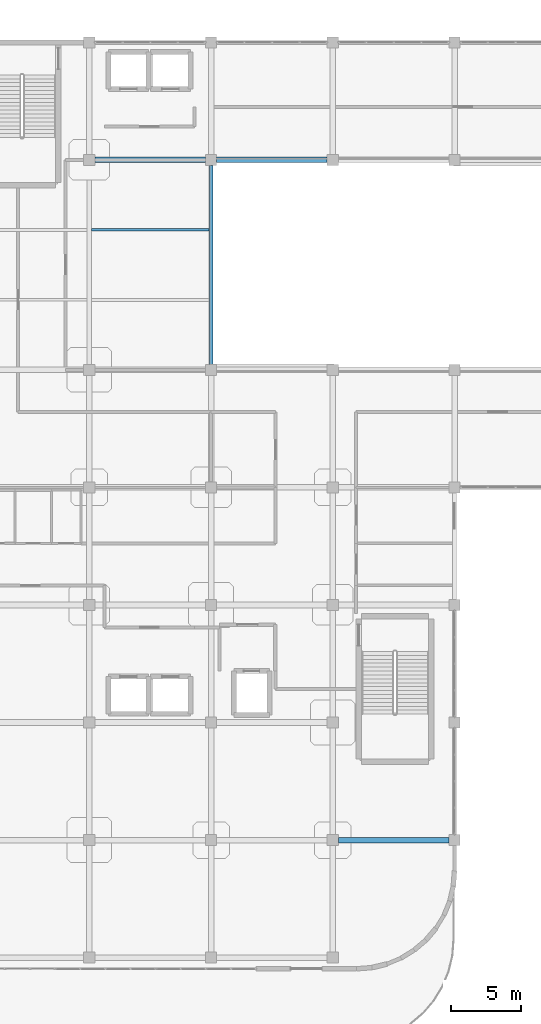
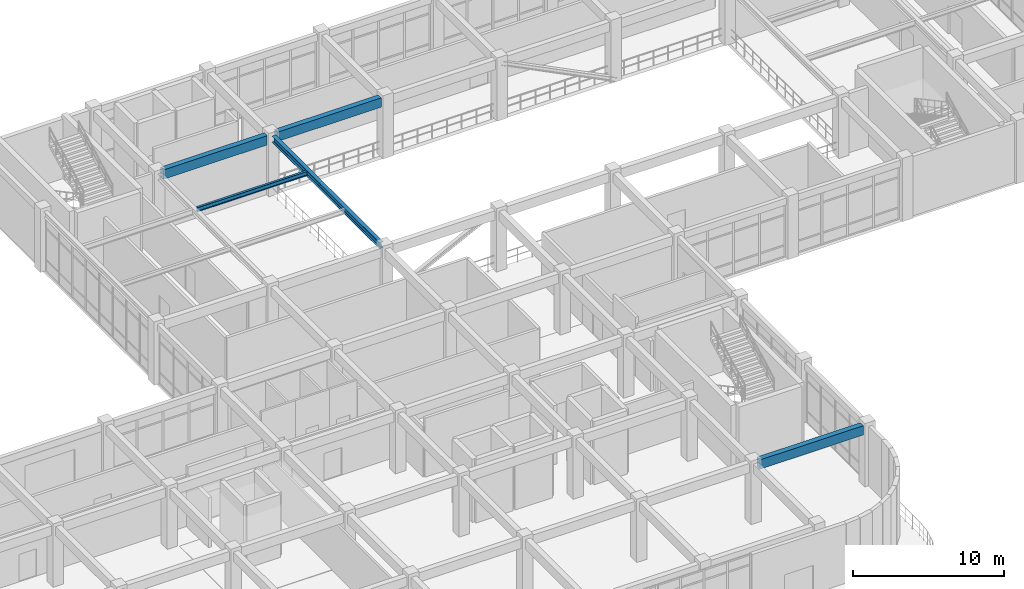
# One storey, part 29 of 96: 5 beams.
"""IFC4 building model written with IfcOpenShell, lengths in metres."""

import ifcopenshell
import ifcopenshell.guid

model = None  # the IFC model being written
_history = None  # IfcOwnerHistory: only IFC2X3 demands one
_inside = {}  # id of a spatial element -> (the spatial element, [elements in it])
_under = {}  # id of a project, library or spatial element -> (it, [spatial elements below it])
_declared = {}  # id of a project -> (the project, [libraries it declares])
_typed = {}  # id of a type object -> (the type object, [elements of that type])
_made_of = {}  # id of a material, layer set ... -> (it, [elements and type objects made of it])


def new_model(schema):
    """Start an empty IFC model of exactly this schema.

    Asked for "IFC4X3", IfcOpenShell would pick the latest addendum, in which some entities
    have other attributes; the version numbers below select the first issue.
    IFC2X3 requires an IfcOwnerHistory on every rooted entity: one is made here for all.
    """
    global model, _history
    if schema == "IFC4X3":
        model = ifcopenshell.file(schema_version=(4, 3, 0, 0))
    else:
        model = ifcopenshell.file(schema=schema)
    _inside.clear()
    _under.clear()
    _declared.clear()
    _typed.clear()
    _made_of.clear()
    _history = None
    if model.schema == "IFC2X3":
        org = make("IfcOrganization", Name="unknown")
        user = make(
            "IfcPersonAndOrganization",
            ThePerson=make("IfcPerson", FamilyName="unknown"),
            TheOrganization=org,
        )
        app = make(
            "IfcApplication",
            ApplicationDeveloper=org,
            Version="unknown",
            ApplicationFullName="unknown",
            ApplicationIdentifier="unknown",
        )
        _history = make(
            "IfcOwnerHistory",
            OwningUser=user,
            OwningApplication=app,
            ChangeAction="ADDED",
            CreationDate=0,
        )
    return model


def make(cls, **values):
    """One entity of the class cls with the attributes given. An attribute that is None is left unset."""
    return model.create_entity(
        cls, **{name: value for name, value in values.items() if value is not None}
    )


def rooted(cls, **values):
    """An entity with a GlobalId (a new one), such as an element, a storey or a relation."""
    return make(cls, GlobalId=ifcopenshell.guid.new(), OwnerHistory=_history, **values)


def si_unit(unit_type, name, prefix=None):
    """IfcSIUnit, for example si_unit("LENGTHUNIT", "METRE", prefix="MILLI")."""
    return make("IfcSIUnit", UnitType=unit_type, Prefix=prefix, Name=name)


def derived_unit(unit_type, elements):
    """IfcDerivedUnit: a product of units, each with its exponent."""
    return make(
        "IfcDerivedUnit",
        Elements=[
            make("IfcDerivedUnitElement", Unit=unit, Exponent=power)
            for unit, power in elements
        ],
        UnitType=unit_type,
    )


def assignment(units):
    """IfcUnitAssignment: the units of a project."""
    return None if units is None else make("IfcUnitAssignment", Units=units)


def point(xyz):
    """IfcCartesianPoint."""
    return None if xyz is None else make("IfcCartesianPoint", Coordinates=xyz)


def direction(xyz):
    """IfcDirection."""
    return None if xyz is None else make("IfcDirection", DirectionRatios=xyz)


def frame(location, z_axis=None, x_axis=None):
    """IfcAxis2Placement3D, a coordinate frame: its origin and axes. An axis left out is left unset."""
    return make(
        "IfcAxis2Placement3D",
        Location=point(location),
        Axis=direction(z_axis),
        RefDirection=direction(x_axis),
    )


def frame_2d(location, x_axis=None):
    """IfcAxis2Placement2D, a coordinate frame in the plane: its origin and x axis."""
    return make(
        "IfcAxis2Placement2D", Location=point(location), RefDirection=direction(x_axis)
    )


def origin():
    """The frame at (0, 0, 0) with its axes left unset."""
    return frame((0.0, 0.0, 0.0))


def origin_2d():
    """The frame at (0, 0) in the plane with its x axis left unset."""
    return frame_2d((0.0, 0.0))


def place(relative_to, where):
    """IfcLocalPlacement: puts the frame where relative to a parent placement (None: the world)."""
    return make(
        "IfcLocalPlacement", PlacementRelTo=relative_to, RelativePlacement=where
    )


def context(
    kind, dimensions, precision=None, world=None, true_north=None, identifier=None
):
    """IfcGeometricRepresentationContext, for example the 3D "Model" context."""
    return make(
        "IfcGeometricRepresentationContext",
        ContextIdentifier=identifier,
        ContextType=kind,
        CoordinateSpaceDimension=dimensions,
        Precision=precision,
        WorldCoordinateSystem=world,
        TrueNorth=true_north,
    )


def subcontext(parent, identifier, kind, view, scale=None):
    """IfcGeometricRepresentationSubContext, for example "Body" below "Model"."""
    return make(
        "IfcGeometricRepresentationSubContext",
        ContextIdentifier=identifier,
        ContextType=kind,
        ParentContext=parent,
        TargetScale=scale,
        TargetView=view,
    )


def project(units=None, contexts=None):
    """IfcProject with its units and contexts."""
    return rooted(
        "IfcProject",
        Name="project",
        RepresentationContexts=contexts,
        UnitsInContext=assignment(units),
    )


def spatial(cls, under=None, at=None, **own):
    """A site, building, storey or space (cls), placed at a placement, below another one or the project."""
    s = rooted(cls, ObjectPlacement=at, **own)
    if under is not None:
        _under.setdefault(under.id(), (under, []))[1].append(s)
    return s


def profile(cls, at=None, kind="AREA", **sizes):
    """A parametric profile (cls). Its sizes go by their IFC names, for example OverallWidth=200.0."""
    return make(cls, ProfileType=kind, Position=at, **sizes)


def rectangle(**sizes):
    """IfcRectangleProfileDef."""
    return profile("IfcRectangleProfileDef", **sizes)


def i_section(**sizes):
    """IfcIShapeProfileDef."""
    return profile("IfcIShapeProfileDef", **sizes)


def extrude(swept, where, along, depth):
    """IfcExtrudedAreaSolid: the profile swept, set in the frame where, extruded along a direction by depth."""
    return make(
        "IfcExtrudedAreaSolid",
        SweptArea=swept,
        Position=where,
        ExtrudedDirection=direction(along),
        Depth=depth,
    )


def shape(context_of_items, identifier, shape_type, items):
    """IfcShapeRepresentation: the items that make up one representation, for example the "Body"."""
    return make(
        "IfcShapeRepresentation",
        ContextOfItems=context_of_items,
        RepresentationIdentifier=identifier,
        RepresentationType=shape_type,
        Items=items,
    )


def material(Name=None, Category=None):
    """IfcMaterial."""
    return make("IfcMaterial", Name=Name, Category=Category)


def material_profile(
    of_material, cross_section, Name=None, Category=None, Priority=None
):
    """IfcMaterialProfile: a cross section and its material."""
    return make(
        "IfcMaterialProfile",
        Name=Name,
        Material=of_material,
        Profile=cross_section,
        Priority=Priority,
        Category=Category,
    )


def profile_set(profiles, Name=None, composite=None):
    """IfcMaterialProfileSet."""
    return make(
        "IfcMaterialProfileSet",
        Name=Name,
        MaterialProfiles=profiles,
        CompositeProfile=composite,
    )


def made_of(thing, what):
    """Note that an element or type object is made of a material, layer set ...; save() writes the relation."""
    if what is not None:
        _made_of.setdefault(what.id(), (what, []))[1].append(thing)
    return thing


def type_object(cls, material=None, **own):
    """A type object (cls), such as IfcWallType, which elements share."""
    return made_of(rooted(cls, **own), material)


def element(
    cls,
    number,
    at=None,
    inside=None,
    cuts=None,
    type_object=None,
    material=None,
    context=None,
    identifier="Body",
    shape_type=None,
    held_by="IfcProductDefinitionShape",
    body=None,
    shapes=None,
    **own,
):
    """One element of the class cls, such as IfcWall. Its Tag is "e" and its number.

    at: its placement. inside: the storey or other place that contains it. cuts: it is an
    opening in that element (IfcRelVoidsElement). A single representation is given by context,
    identifier, shape_type and body (its items); several are given by shapes. held_by: the class
    of the entity that holds the representations. save() writes the other relations.
    """
    e = rooted(cls, Tag="e%d" % number, ObjectPlacement=at, **own)
    if body is not None:
        shapes = [shape(context, identifier, shape_type, body)]
    if shapes is not None:
        e.Representation = make(held_by, Representations=shapes)
    if inside is not None:
        _inside.setdefault(inside.id(), (inside, []))[1].append(e)
    if cuts is not None:
        rooted(
            "IfcRelVoidsElement", RelatingBuildingElement=cuts, RelatedOpeningElement=e
        )
    if type_object is not None:
        _typed.setdefault(type_object.id(), (type_object, []))[1].append(e)
    return made_of(e, material)


def aggregate(whole, parts):
    """IfcRelAggregates: a whole, such as a stair, and the parts it consists of."""
    return rooted("IfcRelAggregates", RelatingObject=whole, RelatedObjects=parts)


def save(model, path):
    """Write the relations noted so far, then the file.

    IfcRelAggregates (storeys below a building ...), IfcRelContainedInSpatialStructure (elements
    in a storey), IfcRelDefinesByType, IfcRelAssociatesMaterial and IfcRelDeclares: one each for
    every whole, place, type object, material and project.
    """
    for whole, parts in _under.values():
        aggregate(whole, parts)
    for where, things in _inside.values():
        rooted(
            "IfcRelContainedInSpatialStructure",
            RelatedElements=things,
            RelatingStructure=where,
        )
    for kind, things in _typed.values():
        rooted("IfcRelDefinesByType", RelatedObjects=things, RelatingType=kind)
    for what, things in _made_of.values():
        rooted("IfcRelAssociatesMaterial", RelatedObjects=things, RelatingMaterial=what)
    for by, libraries in _declared.values():
        rooted("IfcRelDeclares", RelatingContext=by, RelatedDefinitions=libraries)
    model.write(path)


model = new_model("IFC4")

# Units and contexts
model_context = context("Model", 3, precision=1e-05, world=origin(), true_north=direction((0.0, 1.0)))
body_context = subcontext(model_context, "Body", "Model", "MODEL_VIEW")
ifc_project = project(units=[si_unit("LENGTHUNIT", "METRE"), si_unit("AREAUNIT", "SQUARE_METRE"), si_unit("VOLUMEUNIT", "CUBIC_METRE"), si_unit("PLANEANGLEUNIT", "RADIAN"), si_unit("MASSUNIT", "GRAM", prefix="KILO"), derived_unit("THERMALTRANSMITTANCEUNIT", [(si_unit("MASSUNIT", "GRAM", prefix="KILO"), 1), (si_unit("TIMEUNIT", "SECOND"), -3), (si_unit("THERMODYNAMICTEMPERATUREUNIT", "KELVIN"), -1)])], contexts=[model_context])

# Site, building, storey
site_placement = place(None, origin())
site = spatial("IfcSite", under=ifc_project, at=site_placement, CompositionType="ELEMENT")
building_placement = place(site_placement, origin())
building = spatial("IfcBuilding", under=site, at=building_placement, Name="Qinzheling Arcade Emporium", CompositionType="ELEMENT")
storey_placement = place(building_placement, frame((0.0, 0.0, 21.60009765625)))
storey = spatial("IfcBuildingStorey", under=building, at=storey_placement, Name="L05", CompositionType="ELEMENT", Elevation=21.60009765625)

# Beams
ifc_material_1 = material(Name="Structural steel Q355B", Category="steel")
ifc_material_profile_1 = material_profile(ifc_material_1, i_section(OverallWidth=0.300048828125, OverallDepth=0.488037109375, WebThickness=0.010986328125, FlangeThickness=0.01806640625, FilletRadius=0.02197265625, at=origin_2d()), Name="HM 488x300x11x18", Category="steel")
ifc_profile_set_1 = profile_set([ifc_material_profile_1], Name="Structural steel Q355B")
beam_type_1 = type_object("IfcBeamType", Name="Atrium Bridge Girder HM488 Q355B", PredefinedType="USERDEFINED", material=ifc_profile_set_1)
beam_1_placement = place(storey_placement, frame((52.199951171875, 50.800048828125, 4.575927734375), z_axis=(0.0, 1.0, 0.0), x_axis=(-1.0, 0.0, 0.0)))
element("IfcBeam", 1, at=beam_1_placement, inside=storey, type_object=beam_type_1, Name="Beam BM-L05-Y-7-G", ObjectType="TRANSFER_GIRDER", PredefinedType="USERDEFINED", context=body_context, shape_type="SweptSolid", body=[
    extrude(i_section(OverallWidth=0.300048828125, OverallDepth=0.488037109375, WebThickness=0.010986328125, FlangeThickness=0.01806640625, FilletRadius=0.02197265625, at=origin_2d()), origin(), (0.0, 0.0, 1.0), 14.199951171875),
])
ifc_material_profile_2 = material_profile(ifc_material_1, i_section(OverallWidth=0.175048828125, OverallDepth=0.35009765625, WebThickness=0.007080078125, FlangeThickness=0.010986328125, FilletRadius=0.013916015625, at=origin_2d()), Name="HN 350x175x7x11", Category="steel")
ifc_profile_set_2 = profile_set([ifc_material_profile_2], Name="Structural steel Q355B")
beam_type_2 = type_object("IfcBeamType", Name="Canopy Secondary Joist HN350 Q355B", PredefinedType="JOIST", material=ifc_profile_set_2)
beam_2_placement = place(storey_placement, frame((43.655029296875, 60.39990234375, 4.64501953125), z_axis=(1.0, 0.0, 0.0), x_axis=(0.0, 1.0, 0.0)))
element("IfcBeam", 2, at=beam_2_placement, inside=storey, type_object=beam_type_2, Name="Secondary Joist JST-L05-6-2", PredefinedType="JOIST", context=body_context, shape_type="SweptSolid", body=[
    extrude(i_section(OverallWidth=0.175048828125, OverallDepth=0.35009765625, WebThickness=0.007080078125, FlangeThickness=0.010986328125, FilletRadius=0.013916015625, at=origin_2d()), origin(), (0.0, 0.0, 1.0), 8.389892578125),
])
ifc_material_2 = material(Name="Concrete C40", Category="concrete")
ifc_material_profile_3 = material_profile(ifc_material_2, rectangle(XDim=0.39990234375, YDim=0.75, at=origin_2d()), Name="RC 400x750", Category="concrete")
ifc_profile_set_3 = profile_set([ifc_material_profile_3], Name="Concrete C40")
beam_type_3 = type_object("IfcBeamType", Name="RC Interior Tie Beam 400x750 C40", PredefinedType="BEAM", material=ifc_profile_set_3)
beam_3_placement = place(storey_placement, frame((61.300048828125, 16.800048828125, 4.44482421875), z_axis=(1.0, 0.0, 0.0), x_axis=(0.0, 1.0, 0.0)))
element("IfcBeam", 3, at=beam_3_placement, inside=storey, type_object=beam_type_3, Name="Beam BM-L05-X-C-8", PredefinedType="BEAM", context=body_context, shape_type="SweptSolid", body=[
    extrude(rectangle(XDim=0.39990234375, YDim=0.75, at=origin_2d()), origin(), (0.0, 0.0, 1.0), 7.89990234375),
])
beam_4_placement = place(storey_placement, frame((43.89990234375, 65.39990234375, 4.44482421875), z_axis=(1.0, 0.0, 0.0), x_axis=(0.0, 1.0, 0.0)))
element("IfcBeam", 4, at=beam_4_placement, inside=storey, type_object=beam_type_3, Name="Beam BM-L05-X-H-6", PredefinedType="BEAM", context=body_context, shape_type="SweptSolid", body=[
    extrude(rectangle(XDim=0.39990234375, YDim=0.75, at=origin_2d()), origin(), (0.0, 0.0, 1.0), 7.900146484375),
])
beam_5_placement = place(storey_placement, frame((52.60009765625, 65.39990234375, 4.44482421875), z_axis=(1.0, 0.0, 0.0), x_axis=(0.0, 1.0, 0.0)))
element("IfcBeam", 5, at=beam_5_placement, inside=storey, type_object=beam_type_3, Name="Beam BM-L05-X-H-7", PredefinedType="BEAM", context=body_context, shape_type="SweptSolid", body=[
    extrude(rectangle(XDim=0.39990234375, YDim=0.75, at=origin_2d()), origin(), (0.0, 0.0, 1.0), 7.89990234375),
])

save(model, "model.ifc")
